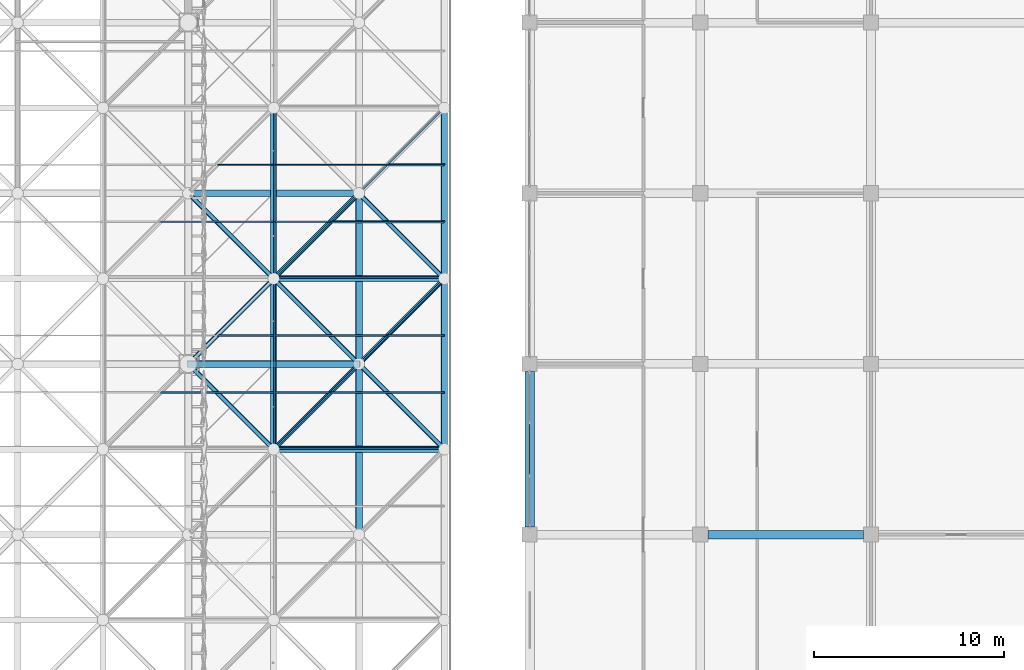
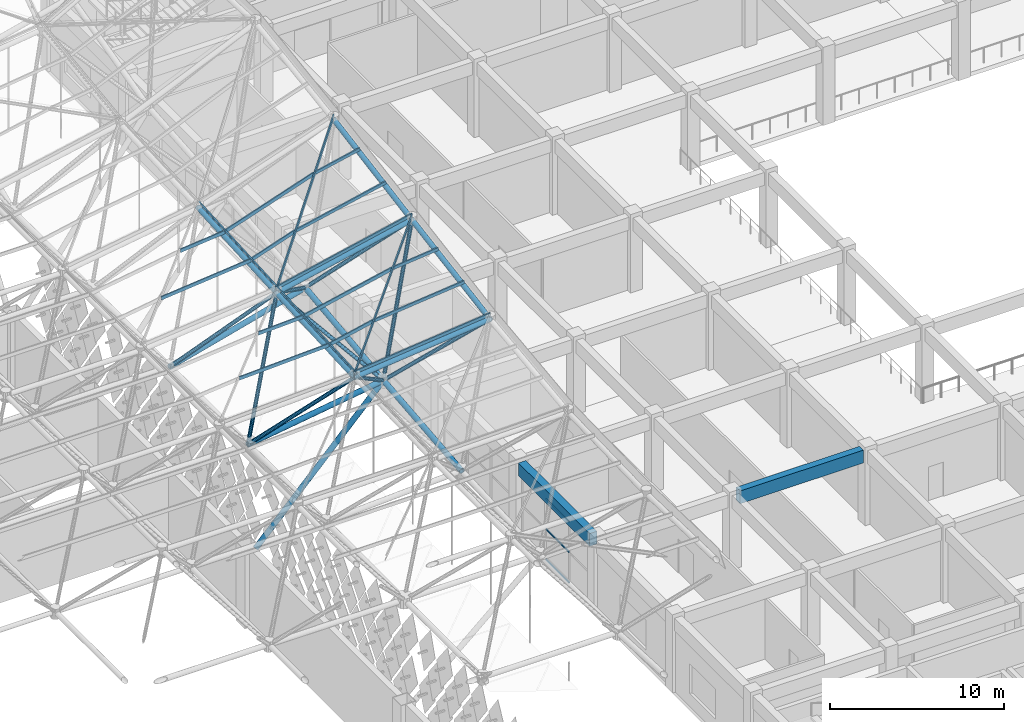
# One storey, part 201 of 437: 41 members, 2 beams, 1 element without a shape of its own.
"""IFC4 building model written with IfcOpenShell, lengths in metres."""

from ifc_helpers import new_model, si_unit, direction, frame, origin, origin_2d, place, context, subcontext, project, spatial, polyline, rectangle, hollow_rectangle, hollow_circle, outline, extrude, material, layer, layer_set, material_profile, profile_set, type_object, element, aggregate, save


model = new_model("IFC4")

# Units and contexts
model_context = context("Model", 3, precision=1e-05, world=origin(), true_north=direction((0.0, 1.0)))
body_context = subcontext(model_context, "Body", "Model", "MODEL_VIEW")
ifc_project = project(units=[si_unit("LENGTHUNIT", "METRE"), si_unit("AREAUNIT", "SQUARE_METRE"), si_unit("VOLUMEUNIT", "CUBIC_METRE"), si_unit("PLANEANGLEUNIT", "RADIAN"), si_unit("MASSUNIT", "GRAM", prefix="KILO")], contexts=[model_context])

# Site, building, storey
site_placement = place(None, origin())
site = spatial("IfcSite", under=ifc_project, at=site_placement, CompositionType="ELEMENT")
building_placement = place(site_placement, origin())
building = spatial("IfcBuilding", under=site, at=building_placement, Name="Opaline Strait Convention Centre", CompositionType="ELEMENT")
storey_placement = place(building_placement, frame((0.0, 0.0, 11.5)))
storey = spatial("IfcBuildingStorey", under=building, at=storey_placement, Name="L02", CompositionType="ELEMENT", Elevation=11.5)

# Curtain wall, members
ifc_material_1 = material(Name="Aluminium framed double glazing", Category="aluminium")
ifc_layer = layer(ifc_material_1, 0.199951171875)
ifc_layer_set = layer_set([ifc_layer], Name="Aluminium framed double glazing")
curtain_wall_type = type_object("IfcCurtainWallType", Name="Curtain wall 3000 module unitised", PredefinedType="NOTDEFINED", material=ifc_layer_set)
curtain_wall_placement = place(storey_placement, origin())
curtain_wall = element("IfcCurtainWall", 1, at=curtain_wall_placement, inside=storey, type_object=curtain_wall_type, Name="Curtain wall W L02 32/P", PredefinedType="NOTDEFINED")
ifc_material_2 = material(Name="Aluminium alloy 6063", Category="aluminium")
ifc_material_profile_1 = material_profile(ifc_material_2, hollow_rectangle(XDim=0.06005859375, YDim=0.1201171875, WallThickness=0.0029296875, at=origin_2d()), Name="TRANSOM 60x120x3")
ifc_profile_set_1 = profile_set([ifc_material_profile_1], Name="Aluminium alloy 6063")
member_type_1 = type_object("IfcMemberType", Name="Curtain wall transom 60 x 120", PredefinedType="USERDEFINED", material=ifc_profile_set_1)
member_1_placement = place(storey_placement, frame((279.0, 120.163330078125, 0.030029296875), z_axis=(0.0, 1.0, 0.0), x_axis=(-1.0, 0.0, 0.0)))
member_1 = element("IfcMember", 2, at=member_1_placement, type_object=member_type_1, Name="MCWR1 transom 2.1", ObjectType="TRANSOM", PredefinedType="USERDEFINED", context=body_context, shape_type="SweptSolid", body=[
    extrude(hollow_rectangle(XDim=0.06005859375, YDim=0.1201171875, WallThickness=0.0029296875, at=origin_2d()), origin(), (0.0, 0.0, 1.0), 2.67333984375),
])
member_2_placement = place(storey_placement, frame((279.0, 120.163330078125, 2.159912109375), z_axis=(0.0, 1.0, 0.0), x_axis=(-1.0, 0.0, 0.0)))
member_2 = element("IfcMember", 3, at=member_2_placement, type_object=member_type_1, Name="MCWR1 transom 2.2", ObjectType="TRANSOM", PredefinedType="USERDEFINED", context=body_context, shape_type="SweptSolid", body=[
    extrude(hollow_rectangle(XDim=0.06005859375, YDim=0.1201171875, WallThickness=0.0029296875, at=origin_2d()), origin(), (0.0, 0.0, 1.0), 2.67333984375),
])
member_3_placement = place(storey_placement, frame((279.0, 120.163330078125, 4.2900390625), z_axis=(0.0, 1.0, 0.0), x_axis=(-1.0, 0.0, 0.0)))
member_3 = element("IfcMember", 4, at=member_3_placement, type_object=member_type_1, Name="MCWR1 transom 2.3", ObjectType="TRANSOM", PredefinedType="USERDEFINED", context=body_context, shape_type="SweptSolid", body=[
    extrude(hollow_rectangle(XDim=0.06005859375, YDim=0.1201171875, WallThickness=0.0029296875, at=origin_2d()), origin(), (0.0, 0.0, 1.0), 2.67333984375),
])
aggregate(curtain_wall, [member_1, member_2, member_3])

# Beams
ifc_material_3 = material(Name="Concrete C35", Category="concrete")
ifc_material_profile_2 = material_profile(ifc_material_3, rectangle(XDim=0.449951171875, YDim=0.89990234375, at=origin_2d()), Name="RC 450x900")
ifc_profile_set_2 = profile_set([ifc_material_profile_2], Name="Concrete C35")
beam_type_1 = type_object("IfcBeamType", Name="RC beam 450x900 C35", PredefinedType="BEAM", material=ifc_profile_set_2)
beam_1_placement = place(storey_placement, frame((288.39990234375, 117.0, 4.77001953125), z_axis=(1.0, 0.0, 0.0), x_axis=(0.0, 1.0, 0.0)))
element("IfcBeam", 5, at=beam_1_placement, inside=storey, type_object=beam_type_1, Name="XB1 L02 33/P-34/P", PredefinedType="BEAM", context=body_context, shape_type="SweptSolid", body=[
    extrude(rectangle(XDim=0.449951171875, YDim=0.89990234375, at=origin_2d()), origin(), (0.0, 0.0, 1.0), 8.2001953125),
])
ifc_material_profile_3 = material_profile(ifc_material_3, rectangle(XDim=0.5, YDim=0.89990234375, at=origin_2d()), Name="RC 500x900")
ifc_profile_set_3 = profile_set([ifc_material_profile_3], Name="Concrete C35")
beam_type_2 = type_object("IfcBeamType", Name="RC edge beam 500x900 C35", PredefinedType="BEAM", material=ifc_profile_set_3)
beam_2_placement = place(storey_placement, frame((279.0, 117.39990234375, 4.77001953125), z_axis=(0.0, 1.0, 0.0), x_axis=(-1.0, 0.0, 0.0)))
element("IfcBeam", 6, at=beam_2_placement, inside=storey, type_object=beam_type_2, Name="MRB2 L02 32/P-32/Q", PredefinedType="BEAM", context=body_context, shape_type="SweptSolid", body=[
    extrude(rectangle(XDim=0.5, YDim=0.89990234375, at=origin_2d()), origin(), (0.0, 0.0, 1.0), 8.2001953125),
])

# Members
ifc_material_4 = material(Name="Steel Q355B", Category="steel")
ifc_material_profile_4 = material_profile(ifc_material_4, hollow_circle(Radius=0.175537109375, WallThickness=0.01611328125, at=origin_2d()), Name="CHS 351x16")
ifc_profile_set_4 = profile_set([ifc_material_profile_4], Name="Steel Q355B")
member_type_2 = type_object("IfcMemberType", Name="Raking prop CHS 351x16", PredefinedType="BRACE", material=ifc_profile_set_4)
member_4_placement = place(storey_placement, frame((261.51611328125, 126.0, 5.0166015625), z_axis=(0.692510344595, 0.0, 0.721407944667), x_axis=(0.0, 1.0, 0.0)))
element("IfcMember", 7, at=member_4_placement, inside=storey, type_object=member_type_2, Name="Raking prop 261/126 E", PredefinedType="BRACE", context=body_context, shape_type="SweptSolid", body=[
    extrude(hollow_circle(Radius=0.175537109375, WallThickness=0.01611328125, at=origin_2d()), origin(), (0.0, 0.0, 1.0), 12.301025390625),
])
ifc_material_profile_5 = material_profile(ifc_material_4, outline(polyline([(-0.03759765625, -0.125), (0.03759765625, -0.125), (0.03759765625, -0.10498046875), (0.034912109375, -0.10498046875), (0.034912109375, -0.12255859375), (-0.034912109375, -0.12255859375), (-0.034912109375, 0.12255859375), (0.034912109375, 0.12255859375), (0.034912109375, 0.10498046875), (0.03759765625, 0.10498046875), (0.03759765625, 0.125), (-0.03759765625, 0.125), (-0.03759765625, -0.125)])), Name="C 250x75x20x2.5")
ifc_profile_set_5 = profile_set([ifc_material_profile_5], Name="Steel Q355B")
member_type_3 = type_object("IfcMemberType", Name="Roof purlin C 250x75x20x2.5", PredefinedType="PURLIN", material=ifc_profile_set_5)
member_5_placement = place(storey_placement, frame((259.550048828125, 124.5, 18.555908203125), z_axis=(0.999004978372, 0.0, 0.04459880253), x_axis=(-0.002414026618, 0.998534026345, 0.054073752484)))
element("IfcMember", 8, at=member_5_placement, inside=storey, type_object=member_type_3, Name="EXB-RF-P-19-9-0a", PredefinedType="PURLIN", context=body_context, shape_type="SweptSolid", body=[
    extrude(outline(polyline([(-0.03759765625, -0.125), (0.03759765625, -0.125), (0.03759765625, -0.10498046875), (0.034912109375, -0.10498046875), (0.034912109375, -0.12255859375), (-0.034912109375, -0.12255859375), (-0.034912109375, 0.12255859375), (0.034912109375, 0.12255859375), (0.034912109375, 0.10498046875), (0.03759765625, 0.10498046875), (0.03759765625, 0.125), (-0.03759765625, 0.125), (-0.03759765625, -0.125)])), origin(), (0.0, 0.0, 1.0), 5.955810546875),
])
member_6_placement = place(storey_placement, frame((262.550048828125, 127.5, 18.8525390625), z_axis=(0.999002855694, 0.0, 0.04464632476), x_axis=(-0.002416598883, 0.998534026345, 0.054073637589)))
element("IfcMember", 9, at=member_6_placement, inside=storey, type_object=member_type_3, Name="EXB-RF-P-19-9-1a", PredefinedType="PURLIN", context=body_context, shape_type="SweptSolid", body=[
    extrude(outline(polyline([(-0.03759765625, -0.125), (0.03759765625, -0.125), (0.03759765625, -0.10498046875), (0.034912109375, -0.10498046875), (0.034912109375, -0.12255859375), (-0.034912109375, -0.12255859375), (-0.034912109375, 0.12255859375), (0.034912109375, 0.12255859375), (0.034912109375, 0.10498046875), (0.03759765625, 0.10498046875), (0.03759765625, 0.125), (-0.03759765625, 0.125), (-0.03759765625, -0.125)])), origin(), (0.0, 0.0, 1.0), 2.952880859375),
])
member_7_placement = place(storey_placement, frame((265.5, 121.5, 18.657470703125), z_axis=(0.694204223982, 0.694204223982, 0.190160434401), x_axis=(-0.71248371518, 0.700270764147, 0.044584890758)))
element("IfcMember", 10, at=member_7_placement, inside=storey, type_object=member_type_3, Name="EXB-RF-F-20-9", PredefinedType="PURLIN", context=body_context, shape_type="SweptSolid", body=[
    extrude(outline(polyline([(-0.03759765625, -0.125), (0.03759765625, -0.125), (0.03759765625, -0.10498046875), (0.034912109375, -0.10498046875), (0.034912109375, -0.12255859375), (-0.034912109375, -0.12255859375), (-0.034912109375, 0.12255859375), (0.034912109375, 0.12255859375), (0.034912109375, 0.10498046875), (0.03759765625, 0.10498046875), (0.03759765625, 0.125), (-0.03759765625, 0.125), (-0.03759765625, -0.125)])), origin(), (0.0, 0.0, 1.0), 12.964599609375),
])
member_8_placement = place(storey_placement, frame((265.449951171875, 121.56005859375, 18.6650390625), z_axis=(0.994612105595, 0.0, 0.10366657805), x_axis=(-0.017254091808, 0.986051866452, 0.165541574785)))
element("IfcMember", 11, at=member_8_placement, inside=storey, type_object=member_type_3, Name="EXB-RF-E-20-9a", PredefinedType="PURLIN", context=body_context, shape_type="SweptSolid", body=[
    extrude(outline(polyline([(-0.03759765625, -0.125), (0.03759765625, -0.125), (0.03759765625, -0.10498046875), (0.034912109375, -0.10498046875), (0.034912109375, -0.12255859375), (-0.034912109375, -0.12255859375), (-0.034912109375, 0.12255859375), (0.034912109375, 0.12255859375), (0.034912109375, 0.10498046875), (0.03759765625, 0.10498046875), (0.03759765625, 0.125), (-0.03759765625, 0.125), (-0.03759765625, -0.125)])), origin(), (0.0, 0.0, 1.0), 9.1494140625),
])
member_9_placement = place(storey_placement, frame((268.550048828125, 124.5, 19.487060546875), z_axis=(0.994612712378, 0.0, 0.103660756204), x_axis=(-0.017343920909, 0.985903618125, 0.166412872625)))
element("IfcMember", 12, at=member_9_placement, inside=storey, type_object=member_type_3, Name="EXB-RF-P-20-9-0a", PredefinedType="PURLIN", context=body_context, shape_type="SweptSolid", body=[
    extrude(outline(polyline([(-0.03759765625, -0.125), (0.03759765625, -0.125), (0.03759765625, -0.10498046875), (0.034912109375, -0.10498046875), (0.034912109375, -0.12255859375), (-0.034912109375, -0.12255859375), (-0.034912109375, 0.12255859375), (0.034912109375, 0.12255859375), (0.034912109375, 0.10498046875), (0.03759765625, 0.10498046875), (0.03759765625, 0.125), (-0.03759765625, 0.125), (-0.03759765625, -0.125)])), origin(), (0.0, 0.0, 1.0), 5.982177734375),
])
member_10_placement = place(storey_placement, frame((271.550048828125, 127.5, 20.308837890625), z_axis=(0.994615404266, 0.0, 0.103634924602), x_axis=(-0.017339598914, 0.985903618125, 0.166413323016)))
element("IfcMember", 13, at=member_10_placement, inside=storey, type_object=member_type_3, Name="EXB-RF-P-20-9-1a", PredefinedType="PURLIN", context=body_context, shape_type="SweptSolid", body=[
    extrude(outline(polyline([(-0.03759765625, -0.125), (0.03759765625, -0.125), (0.03759765625, -0.10498046875), (0.034912109375, -0.10498046875), (0.034912109375, -0.12255859375), (-0.034912109375, -0.12255859375), (-0.034912109375, 0.12255859375), (0.034912109375, 0.12255859375), (0.034912109375, 0.10498046875), (0.03759765625, 0.10498046875), (0.03759765625, 0.125), (-0.03759765625, 0.125), (-0.03759765625, -0.125)])), origin(), (0.0, 0.0, 1.0), 2.9658203125),
])
member_11_placement = place(storey_placement, frame((265.565673828125, 121.449951171875, 18.673583984375), z_axis=(0.0, 0.998533323421, 0.054140576451), x_axis=(-0.976767751484, 0.011602359597, -0.213986319453)))
element("IfcMember", 14, at=member_11_placement, inside=storey, type_object=member_type_3, Name="EXB-RF-E-20-9b", PredefinedType="PURLIN", context=body_context, shape_type="SweptSolid", body=[
    extrude(outline(polyline([(-0.03759765625, -0.125), (0.03759765625, -0.125), (0.03759765625, -0.10498046875), (0.034912109375, -0.10498046875), (0.034912109375, -0.12255859375), (-0.034912109375, -0.12255859375), (-0.034912109375, 0.12255859375), (0.034912109375, 0.12255859375), (0.034912109375, 0.10498046875), (0.03759765625, 0.10498046875), (0.03759765625, 0.125), (-0.03759765625, 0.125), (-0.03759765625, -0.125)])), origin(), (0.0, 0.0, 1.0), 9.113525390625),
])
member_12_placement = place(storey_placement, frame((265.60009765625, 124.5, 18.846435546875), z_axis=(0.976698163467, 0.0, 0.214617560978), x_axis=(-0.011616735774, 0.998534026345, 0.052866337893)))
element("IfcMember", 15, at=member_12_placement, inside=storey, type_object=member_type_3, Name="EXB-RF-P-20-9-0b", PredefinedType="PURLIN", context=body_context, shape_type="SweptSolid", body=[
    extrude(outline(polyline([(-0.03759765625, -0.125), (0.03759765625, -0.125), (0.03759765625, -0.10498046875), (0.034912109375, -0.10498046875), (0.034912109375, -0.12255859375), (-0.034912109375, -0.12255859375), (-0.034912109375, 0.12255859375), (0.034912109375, 0.12255859375), (0.034912109375, 0.10498046875), (0.03759765625, 0.10498046875), (0.03759765625, 0.125), (-0.03759765625, 0.125), (-0.03759765625, -0.125)])), origin(), (0.0, 0.0, 1.0), 2.917724609375),
])
member_13_placement = place(storey_placement, frame((265.60009765625, 127.5, 19.009033203125), z_axis=(0.976699349259, 0.0, 0.214612164511), x_axis=(-0.011616443677, 0.998534026345, 0.052866402077)))
element("IfcMember", 16, at=member_13_placement, inside=storey, type_object=member_type_3, Name="EXB-RF-P-20-9-1b", PredefinedType="PURLIN", context=body_context, shape_type="SweptSolid", body=[
    extrude(outline(polyline([(-0.03759765625, -0.125), (0.03759765625, -0.125), (0.03759765625, -0.10498046875), (0.034912109375, -0.10498046875), (0.034912109375, -0.12255859375), (-0.034912109375, -0.12255859375), (-0.034912109375, 0.12255859375), (0.034912109375, 0.12255859375), (0.034912109375, 0.10498046875), (0.03759765625, 0.10498046875), (0.03759765625, 0.125), (-0.03759765625, 0.125), (-0.03759765625, -0.125)])), origin(), (0.0, 0.0, 1.0), 5.989501953125),
])
member_14_placement = place(storey_placement, frame((259.550048828125, 133.5, 18.729736328125), z_axis=(0.995150147401, 0.0, 0.098367596943), x_axis=(-0.0055842752, 0.99838731392, 0.056494134867)))
element("IfcMember", 17, at=member_14_placement, inside=storey, type_object=member_type_3, Name="EXB-RF-P-19-10-0a", PredefinedType="PURLIN", context=body_context, shape_type="SweptSolid", body=[
    extrude(outline(polyline([(-0.03759765625, -0.125), (0.03759765625, -0.125), (0.03759765625, -0.10498046875), (0.034912109375, -0.10498046875), (0.034912109375, -0.12255859375), (-0.034912109375, -0.12255859375), (-0.034912109375, 0.12255859375), (0.034912109375, 0.12255859375), (0.034912109375, 0.10498046875), (0.03759765625, 0.10498046875), (0.03759765625, 0.125), (-0.03759765625, 0.125), (-0.03759765625, -0.125)])), origin(), (0.0, 0.0, 1.0), 5.97900390625),
])
member_15_placement = place(storey_placement, frame((262.550048828125, 136.5, 19.197021484375), z_axis=(0.995153115332, 0.0, 0.098337566805), x_axis=(-0.005582570405, 0.99838731392, 0.056494303355)))
element("IfcMember", 18, at=member_15_placement, inside=storey, type_object=member_type_3, Name="EXB-RF-P-19-10-1a", PredefinedType="PURLIN", context=body_context, shape_type="SweptSolid", body=[
    extrude(outline(polyline([(-0.03759765625, -0.125), (0.03759765625, -0.125), (0.03759765625, -0.10498046875), (0.034912109375, -0.10498046875), (0.034912109375, -0.12255859375), (-0.034912109375, -0.12255859375), (-0.034912109375, 0.12255859375), (0.034912109375, 0.12255859375), (0.034912109375, 0.10498046875), (0.03759765625, 0.10498046875), (0.03759765625, 0.125), (-0.03759765625, 0.125), (-0.03759765625, -0.125)])), origin(), (0.0, 0.0, 1.0), 2.96435546875),
])
member_16_placement = place(storey_placement, frame((265.5, 130.5, 19.149169921875), z_axis=(0.680940085926, 0.680940085926, 0.26952031233), x_axis=(-0.701135867447, 0.712454070999, -0.028595316)))
element("IfcMember", 19, at=member_16_placement, inside=storey, type_object=member_type_3, Name="EXB-RF-F-20-10", PredefinedType="PURLIN", context=body_context, shape_type="SweptSolid", body=[
    extrude(outline(polyline([(-0.03759765625, -0.125), (0.03759765625, -0.125), (0.03759765625, -0.10498046875), (0.034912109375, -0.10498046875), (0.034912109375, -0.12255859375), (-0.034912109375, -0.12255859375), (-0.034912109375, 0.12255859375), (0.034912109375, 0.12255859375), (0.034912109375, 0.10498046875), (0.03759765625, 0.10498046875), (0.03759765625, 0.125), (-0.03759765625, 0.125), (-0.03759765625, -0.125)])), origin(), (0.0, 0.0, 1.0), 13.217041015625),
])
member_17_placement = place(storey_placement, frame((265.449951171875, 130.560302734375, 19.14990234375), z_axis=(0.976700958406, 0.0, 0.214604841159), x_axis=(-0.036376076933, 0.985529741381, 0.165553344517)))
element("IfcMember", 20, at=member_17_placement, inside=storey, type_object=member_type_3, Name="EXB-RF-E-20-10a", PredefinedType="PURLIN", context=body_context, shape_type="SweptSolid", body=[
    extrude(outline(polyline([(-0.03759765625, -0.125), (0.03759765625, -0.125), (0.03759765625, -0.10498046875), (0.034912109375, -0.10498046875), (0.034912109375, -0.12255859375), (-0.034912109375, -0.12255859375), (-0.034912109375, 0.12255859375), (0.034912109375, 0.12255859375), (0.034912109375, 0.10498046875), (0.03759765625, 0.10498046875), (0.03759765625, 0.125), (-0.03759765625, 0.125), (-0.03759765625, -0.125)])), origin(), (0.0, 0.0, 1.0), 9.317138671875),
])
member_18_placement = place(storey_placement, frame((268.550048828125, 133.5, 20.3486328125), z_axis=(0.976700106525, 0.0, 0.214608718167), x_axis=(-0.037218458447, 0.984847127184, 0.169383949733)))
element("IfcMember", 21, at=member_18_placement, inside=storey, type_object=member_type_3, Name="EXB-RF-P-20-10-0a", PredefinedType="PURLIN", context=body_context, shape_type="SweptSolid", body=[
    extrude(outline(polyline([(-0.03759765625, -0.125), (0.03759765625, -0.125), (0.03759765625, -0.10498046875), (0.034912109375, -0.10498046875), (0.034912109375, -0.12255859375), (-0.034912109375, -0.12255859375), (-0.034912109375, 0.12255859375), (0.034912109375, 0.12255859375), (0.034912109375, 0.10498046875), (0.03759765625, 0.10498046875), (0.03759765625, 0.125), (-0.03759765625, 0.125), (-0.03759765625, -0.125)])), origin(), (0.0, 0.0, 1.0), 6.091796875),
])
member_19_placement = place(storey_placement, frame((271.550048828125, 136.5, 21.5361328125), z_axis=(0.976699731106, 0.0, 0.214610426722), x_axis=(-0.037218754753, 0.984847127184, 0.169383884626)))
element("IfcMember", 22, at=member_19_placement, inside=storey, type_object=member_type_3, Name="EXB-RF-P-20-10-1a", PredefinedType="PURLIN", context=body_context, shape_type="SweptSolid", body=[
    extrude(outline(polyline([(-0.03759765625, -0.125), (0.03759765625, -0.125), (0.03759765625, -0.10498046875), (0.034912109375, -0.10498046875), (0.034912109375, -0.12255859375), (-0.034912109375, -0.12255859375), (-0.034912109375, 0.12255859375), (0.034912109375, 0.12255859375), (0.034912109375, 0.10498046875), (0.03759765625, 0.10498046875), (0.03759765625, 0.125), (-0.03759765625, 0.125), (-0.03759765625, -0.125)])), origin(), (0.0, 0.0, 1.0), 3.020263671875),
])
member_20_placement = place(storey_placement, frame((265.578369140625, 130.449951171875, 19.177490234375), z_axis=(0.0, 0.998386467892, 0.056784335245), x_axis=(-0.947231539522, 0.018202228232, -0.320032950527)))
element("IfcMember", 23, at=member_20_placement, inside=storey, type_object=member_type_3, Name="EXB-RF-E-20-10b", PredefinedType="PURLIN", context=body_context, shape_type="SweptSolid", body=[
    extrude(outline(polyline([(-0.03759765625, -0.125), (0.03759765625, -0.125), (0.03759765625, -0.10498046875), (0.034912109375, -0.10498046875), (0.034912109375, -0.12255859375), (-0.034912109375, -0.12255859375), (-0.034912109375, 0.12255859375), (0.034912109375, 0.12255859375), (0.034912109375, 0.10498046875), (0.03759765625, 0.10498046875), (0.03759765625, 0.125), (-0.03759765625, 0.125), (-0.03759765625, -0.125)])), origin(), (0.0, 0.0, 1.0), 9.11474609375),
])
member_21_placement = place(storey_placement, frame((265.613037109375, 133.5, 19.362548828125), z_axis=(0.947065459404, 0.0, 0.321040520189), x_axis=(-0.018225296447, 0.99838731392, 0.053764393174)))
element("IfcMember", 24, at=member_21_placement, inside=storey, type_object=member_type_3, Name="EXB-RF-P-20-10-0b", PredefinedType="PURLIN", context=body_context, shape_type="SweptSolid", body=[
    extrude(outline(polyline([(-0.03759765625, -0.125), (0.03759765625, -0.125), (0.03759765625, -0.10498046875), (0.034912109375, -0.10498046875), (0.034912109375, -0.12255859375), (-0.034912109375, -0.12255859375), (-0.034912109375, 0.12255859375), (0.034912109375, 0.12255859375), (0.034912109375, 0.10498046875), (0.03759765625, 0.10498046875), (0.03759765625, 0.125), (-0.03759765625, 0.125), (-0.03759765625, -0.125)])), origin(), (0.0, 0.0, 1.0), 2.995361328125),
])
member_22_placement = place(storey_placement, frame((265.613037109375, 136.5, 19.533203125), z_axis=(0.947082821832, 0.0, 0.320989296692), x_axis=(-0.018222388517, 0.99838731392, 0.053765378829)))
element("IfcMember", 25, at=member_22_placement, inside=storey, type_object=member_type_3, Name="EXB-RF-P-20-10-1b", PredefinedType="PURLIN", context=body_context, shape_type="SweptSolid", body=[
    extrude(outline(polyline([(-0.03759765625, -0.125), (0.03759765625, -0.125), (0.03759765625, -0.10498046875), (0.034912109375, -0.10498046875), (0.034912109375, -0.12255859375), (-0.034912109375, -0.12255859375), (-0.034912109375, 0.12255859375), (0.034912109375, 0.12255859375), (0.034912109375, 0.10498046875), (0.03759765625, 0.10498046875), (0.03759765625, 0.125), (-0.03759765625, 0.125), (-0.03759765625, -0.125)])), origin(), (0.0, 0.0, 1.0), 6.1630859375),
])
ifc_material_profile_6 = material_profile(ifc_material_4, hollow_circle(Radius=0.175537109375, WallThickness=0.01611328125, at=origin_2d()), Name="CHS 351x16")
ifc_profile_set_6 = profile_set([ifc_material_profile_6], Name="Steel Q355B")
member_type_4 = type_object("IfcMemberType", Name="Space frame bottom chord CHS 351x16", PredefinedType="CHORD", material=ifc_profile_set_6)
member_23_placement = place(storey_placement, frame((260.950439453125, 126.0, 12.49267578125), z_axis=(0.988864228986, 0.0, 0.148820484582), x_axis=(0.0, 1.0, 0.0)))
element("IfcMember", 26, at=member_23_placement, inside=storey, type_object=member_type_4, Name="EXB-RF-BX-19-9", PredefinedType="CHORD", context=body_context, shape_type="SweptSolid", body=[
    extrude(hollow_circle(Radius=0.175537109375, WallThickness=0.01611328125, at=origin_2d()), origin(), (0.0, 0.0, 1.0), 9.20166015625),
])
member_24_placement = place(storey_placement, frame((260.95166015625, 135.0, 12.487060546875), z_axis=(0.965943886193, 0.0, 0.258751635215), x_axis=(0.0, 1.0, 0.0)))
element("IfcMember", 27, at=member_24_placement, inside=storey, type_object=member_type_4, Name="EXB-RF-BX-19-10", PredefinedType="CHORD", context=body_context, shape_type="SweptSolid", body=[
    extrude(hollow_circle(Radius=0.175537109375, WallThickness=0.01611328125, at=origin_2d()), origin(), (0.0, 0.0, 1.0), 9.41748046875),
])
member_25_placement = place(storey_placement, frame((270.0, 116.9501953125, 12.954345703125), z_axis=(0.0, 0.99509044308, 0.098969743306), x_axis=(-1.0, 0.0, 0.0)))
element("IfcMember", 28, at=member_25_placement, inside=storey, type_object=member_type_4, Name="EXB-RF-BY-20-8", PredefinedType="CHORD", context=body_context, shape_type="SweptSolid", body=[
    extrude(hollow_circle(Radius=0.175537109375, WallThickness=0.01611328125, at=origin_2d()), origin(), (0.0, 0.0, 1.0), 9.14453125),
])
member_26_placement = place(storey_placement, frame((270.0, 125.950439453125, 13.8486328125), z_axis=(0.0, 0.993180584954, 0.116586129841), x_axis=(-1.0, 0.0, 0.0)))
element("IfcMember", 29, at=member_26_placement, inside=storey, type_object=member_type_4, Name="EXB-RF-BY-20-9", PredefinedType="CHORD", context=body_context, shape_type="SweptSolid", body=[
    extrude(hollow_circle(Radius=0.175537109375, WallThickness=0.01611328125, at=origin_2d()), origin(), (0.0, 0.0, 1.0), 9.16162109375),
])
ifc_material_profile_7 = material_profile(ifc_material_4, hollow_circle(Radius=0.16259765625, WallThickness=0.013916015625, at=origin_2d()), Name="CHS 325x14")
ifc_profile_set_7 = profile_set([ifc_material_profile_7], Name="Steel Q355B")
member_type_5 = type_object("IfcMemberType", Name="Space frame top chord CHS 325x14", PredefinedType="CHORD", material=ifc_profile_set_7)
member_27_placement = place(storey_placement, frame((274.5, 130.45068359375, 20.830078125), z_axis=(0.0, 0.984849995483, 0.17340843808), x_axis=(-1.0, 0.0, 0.0)))
element("IfcMember", 30, at=member_27_placement, inside=storey, type_object=member_type_5, Name="EXB-RF-TY-21-10", PredefinedType="CHORD", context=body_context, shape_type="SweptSolid", body=[
    extrude(hollow_circle(Radius=0.16259765625, WallThickness=0.013916015625, at=origin_2d()), origin(), (0.0, 0.0, 1.0), 9.238525390625),
])
ifc_material_profile_8 = material_profile(ifc_material_4, hollow_circle(Radius=0.16259765625, WallThickness=0.02001953125, at=origin_2d()), Name="CHS 325x20")
ifc_profile_set_8 = profile_set([ifc_material_profile_8], Name="Steel Q355B")
member_type_6 = type_object("IfcMemberType", Name="Space frame top chord CHS 325x20", PredefinedType="CHORD", material=ifc_profile_set_8)
member_28_placement = place(storey_placement, frame((265.4501953125, 121.5, 18.3681640625), z_axis=(0.994614283282, 0.0, 0.10364568245), x_axis=(0.0, 1.0, 0.0)))
element("IfcMember", 31, at=member_28_placement, inside=storey, type_object=member_type_6, Name="EXB-RF-TX-20-9", PredefinedType="CHORD", context=body_context, shape_type="SweptSolid", body=[
    extrude(hollow_circle(Radius=0.16259765625, WallThickness=0.02001953125, at=origin_2d()), origin(), (0.0, 0.0, 1.0), 9.14892578125),
])
member_29_placement = place(storey_placement, frame((265.451171875, 130.5, 18.8505859375), z_axis=(0.976705368416, 0.0, 0.214584769515), x_axis=(0.0, 1.0, 0.0)))
element("IfcMember", 32, at=member_29_placement, inside=storey, type_object=member_type_6, Name="EXB-RF-TX-20-10", PredefinedType="CHORD", context=body_context, shape_type="SweptSolid", body=[
    extrude(hollow_circle(Radius=0.16259765625, WallThickness=0.02001953125, at=origin_2d()), origin(), (0.0, 0.0, 1.0), 9.314697265625),
])
member_30_placement = place(storey_placement, frame((265.5, 121.4501953125, 18.37060546875), z_axis=(0.0, 0.99853316636, 0.054143473095), x_axis=(-1.0, 0.0, 0.0)))
element("IfcMember", 33, at=member_30_placement, inside=storey, type_object=member_type_6, Name="EXB-RF-TY-20-9", PredefinedType="CHORD", context=body_context, shape_type="SweptSolid", body=[
    extrude(hollow_circle(Radius=0.16259765625, WallThickness=0.02001953125, at=origin_2d()), origin(), (0.0, 0.0, 1.0), 9.113037109375),
])
member_31_placement = place(storey_placement, frame((265.5, 130.4501953125, 18.8583984375), z_axis=(0.0, 0.998387813469, 0.056760672267), x_axis=(-1.0, 0.0, 0.0)))
element("IfcMember", 34, at=member_31_placement, inside=storey, type_object=member_type_6, Name="EXB-RF-TY-20-10", PredefinedType="CHORD", context=body_context, shape_type="SweptSolid", body=[
    extrude(hollow_circle(Radius=0.16259765625, WallThickness=0.02001953125, at=origin_2d()), origin(), (0.0, 0.0, 1.0), 9.1142578125),
])
member_32_placement = place(storey_placement, frame((274.5, 121.45068359375, 19.302978515625), z_axis=(0.0, 0.985901966255, 0.167323975973), x_axis=(-1.0, 0.0, 0.0)))
element("IfcMember", 35, at=member_32_placement, inside=storey, type_object=member_type_6, Name="EXB-RF-TY-21-9", PredefinedType="CHORD", context=body_context, shape_type="SweptSolid", body=[
    extrude(hollow_circle(Radius=0.16259765625, WallThickness=0.02001953125, at=origin_2d()), origin(), (0.0, 0.0, 1.0), 9.228759765625),
])
ifc_material_profile_9 = material_profile(ifc_material_4, hollow_circle(Radius=0.12255859375, WallThickness=0.011962890625, at=origin_2d()), Name="CHS 245x12")
ifc_profile_set_9 = profile_set([ifc_material_profile_9], Name="Steel Q355B")
member_type_7 = type_object("IfcMemberType", Name="Space frame web CHS 245x12", PredefinedType="BRACE", material=ifc_profile_set_9)
member_33_placement = place(storey_placement, frame((265.52587890625, 121.47412109375, 18.4072265625), z_axis=(-0.519617871627, 0.519617871627, -0.678228969429), x_axis=(-0.707106781187, -0.707106781187, 0.0)))
element("IfcMember", 36, at=member_33_placement, inside=storey, type_object=member_type_7, Name="EXB-RF-W-19-9-10", PredefinedType="BRACE", context=body_context, shape_type="SweptSolid", body=[
    extrude(hollow_circle(Radius=0.12255859375, WallThickness=0.011962890625, at=origin_2d()), origin(), (0.0, 0.0, 1.0), 8.759765625),
])
for number, where, z_axis, x_axis, name in (
    (37, (265.52490234375, 130.52490234375, 18.896484375), (-0.50009756062, -0.50009756062, -0.706968782708), (0.707106781187, -0.707106781187, 0.0), "EXB-RF-W-19-9-11"),
    (38, (265.52490234375, 130.47509765625, 18.896484375), (-0.50009756062, 0.50009756062, -0.706968782708), (-0.707106781187, -0.707106781187, 0.0), "EXB-RF-W-19-10-10"),
):
    element("IfcMember", number, at=place(storey_placement, frame(where, z_axis=z_axis, x_axis=x_axis)), inside=storey, type_object=member_type_7, Name=name, PredefinedType="BRACE", context=body_context, shape_type="SweptSolid", body=[
        extrude(hollow_circle(Radius=0.12255859375, WallThickness=0.011962890625, at=origin_2d()), origin(), (0.0, 0.0, 1.0), 9.097900390625),
    ])
member_34_placement = place(storey_placement, frame((265.47119140625, 121.47119140625, 18.40234375), z_axis=(0.576535854323, 0.576535854323, -0.578975662149), x_axis=(-0.707106781187, 0.707106781187, 0.0)))
element("IfcMember", 39, at=member_34_placement, inside=storey, type_object=member_type_7, Name="EXB-RF-W-20-9-00", PredefinedType="BRACE", context=body_context, shape_type="SweptSolid", body=[
    extrude(hollow_circle(Radius=0.12255859375, WallThickness=0.011962890625, at=origin_2d()), origin(), (0.0, 0.0, 1.0), 7.9052734375),
])
member_35_placement = place(storey_placement, frame((265.47216796875, 130.52783203125, 18.89208984375), z_axis=(0.555738694164, -0.555738694164, -0.618311416374), x_axis=(0.707106781187, 0.707106781187, 0.0)))
element("IfcMember", 40, at=member_35_placement, inside=storey, type_object=member_type_7, Name="EXB-RF-W-20-9-01", PredefinedType="BRACE", context=body_context, shape_type="SweptSolid", body=[
    extrude(hollow_circle(Radius=0.12255859375, WallThickness=0.011962890625, at=origin_2d()), origin(), (0.0, 0.0, 1.0), 8.197509765625),
])
member_36_placement = place(storey_placement, frame((274.52685546875, 121.47314453125, 19.343994140625), z_axis=(-0.53679140387, 0.53679140387, -0.650930086464), x_axis=(-0.707106781187, -0.707106781187, 0.0)))
element("IfcMember", 41, at=member_36_placement, inside=storey, type_object=member_type_7, Name="EXB-RF-W-20-9-10", PredefinedType="BRACE", context=body_context, shape_type="SweptSolid", body=[
    extrude(hollow_circle(Radius=0.12255859375, WallThickness=0.011962890625, at=origin_2d()), origin(), (0.0, 0.0, 1.0), 8.483154296875),
])
member_37_placement = place(storey_placement, frame((274.52392578125, 130.52392578125, 20.875732421875), z_axis=(-0.47626636673, -0.47626636673, -0.739148629062), x_axis=(0.707106781187, -0.707106781187, 0.0)))
element("IfcMember", 42, at=member_37_placement, inside=storey, type_object=member_type_7, Name="EXB-RF-W-20-9-11", PredefinedType="BRACE", context=body_context, shape_type="SweptSolid", body=[
    extrude(hollow_circle(Radius=0.12255859375, WallThickness=0.011962890625, at=origin_2d()), origin(), (0.0, 0.0, 1.0), 9.549072265625),
])
member_38_placement = place(storey_placement, frame((265.469970703125, 130.469970703125, 18.8876953125), z_axis=(0.600769193716, 0.600769193716, -0.527401888283), x_axis=(-0.707106781187, 0.707106781187, 0.0)))
element("IfcMember", 43, at=member_38_placement, inside=storey, type_object=member_type_7, Name="EXB-RF-W-20-10-00", PredefinedType="BRACE", context=body_context, shape_type="SweptSolid", body=[
    extrude(hollow_circle(Radius=0.12255859375, WallThickness=0.011962890625, at=origin_2d()), origin(), (0.0, 0.0, 1.0), 7.59033203125),
])
member_39_placement = place(storey_placement, frame((274.52587890625, 130.47412109375, 20.872802734375), z_axis=(-0.517411806028, 0.517411806028, -0.681593754347), x_axis=(-0.707106781187, -0.707106781187, 0.0)))
element("IfcMember", 44, at=member_39_placement, inside=storey, type_object=member_type_7, Name="EXB-RF-W-20-10-10", PredefinedType="BRACE", context=body_context, shape_type="SweptSolid", body=[
    extrude(hollow_circle(Radius=0.12255859375, WallThickness=0.011962890625, at=origin_2d()), origin(), (0.0, 0.0, 1.0), 8.797119140625),
])

save(model, "model.ifc")
